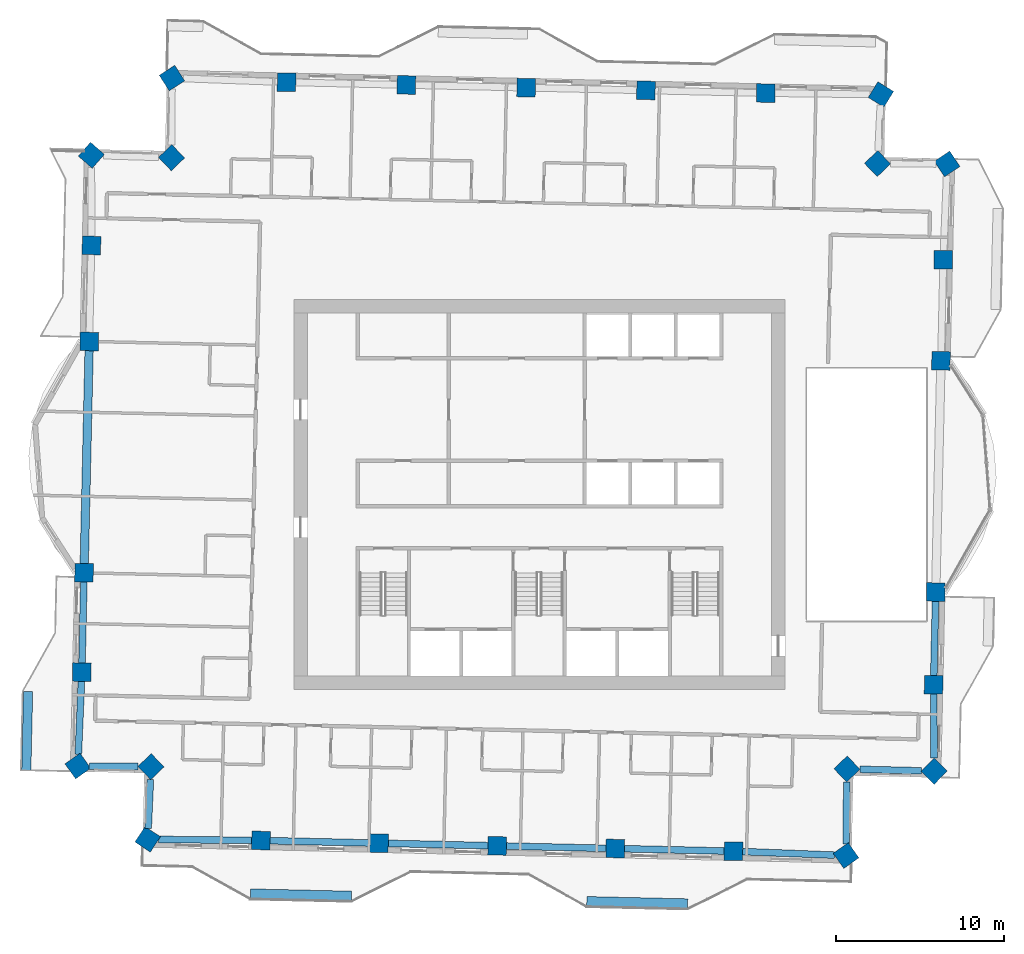
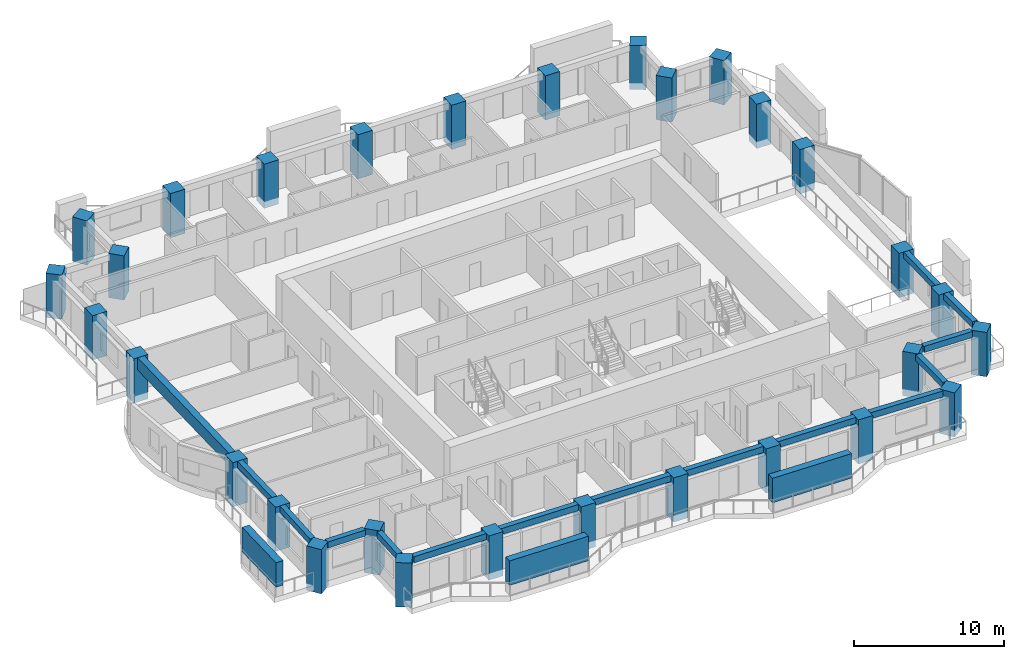
# One storey, part 1 of 14: 30 columns, 15 beams, 3 members.
"""IFC4 building model written with IfcOpenShell, lengths in metres."""

import ifcopenshell
import ifcopenshell.guid

model = None  # the IFC model being written
_history = None  # IfcOwnerHistory: only IFC2X3 demands one
_inside = {}  # id of a spatial element -> (the spatial element, [elements in it])
_under = {}  # id of a project, library or spatial element -> (it, [spatial elements below it])
_declared = {}  # id of a project -> (the project, [libraries it declares])
_typed = {}  # id of a type object -> (the type object, [elements of that type])
_made_of = {}  # id of a material, layer set ... -> (it, [elements and type objects made of it])


def new_model(schema):
    """Start an empty IFC model of exactly this schema.

    Asked for "IFC4X3", IfcOpenShell would pick the latest addendum, in which some entities
    have other attributes; the version numbers below select the first issue.
    IFC2X3 requires an IfcOwnerHistory on every rooted entity: one is made here for all.
    """
    global model, _history
    if schema == "IFC4X3":
        model = ifcopenshell.file(schema_version=(4, 3, 0, 0))
    else:
        model = ifcopenshell.file(schema=schema)
    _inside.clear()
    _under.clear()
    _declared.clear()
    _typed.clear()
    _made_of.clear()
    _history = None
    if model.schema == "IFC2X3":
        org = make("IfcOrganization", Name="unknown")
        user = make(
            "IfcPersonAndOrganization",
            ThePerson=make("IfcPerson", FamilyName="unknown"),
            TheOrganization=org,
        )
        app = make(
            "IfcApplication",
            ApplicationDeveloper=org,
            Version="unknown",
            ApplicationFullName="unknown",
            ApplicationIdentifier="unknown",
        )
        _history = make(
            "IfcOwnerHistory",
            OwningUser=user,
            OwningApplication=app,
            ChangeAction="ADDED",
            CreationDate=0,
        )
    return model


def make(cls, **values):
    """One entity of the class cls with the attributes given. An attribute that is None is left unset."""
    return model.create_entity(
        cls, **{name: value for name, value in values.items() if value is not None}
    )


def rooted(cls, **values):
    """An entity with a GlobalId (a new one), such as an element, a storey or a relation."""
    return make(cls, GlobalId=ifcopenshell.guid.new(), OwnerHistory=_history, **values)


def si_unit(unit_type, name, prefix=None):
    """IfcSIUnit, for example si_unit("LENGTHUNIT", "METRE", prefix="MILLI")."""
    return make("IfcSIUnit", UnitType=unit_type, Prefix=prefix, Name=name)


def assignment(units):
    """IfcUnitAssignment: the units of a project."""
    return None if units is None else make("IfcUnitAssignment", Units=units)


def point(xyz):
    """IfcCartesianPoint."""
    return None if xyz is None else make("IfcCartesianPoint", Coordinates=xyz)


def direction(xyz):
    """IfcDirection."""
    return None if xyz is None else make("IfcDirection", DirectionRatios=xyz)


def frame(location, z_axis=None, x_axis=None):
    """IfcAxis2Placement3D, a coordinate frame: its origin and axes. An axis left out is left unset."""
    return make(
        "IfcAxis2Placement3D",
        Location=point(location),
        Axis=direction(z_axis),
        RefDirection=direction(x_axis),
    )


def frame_2d(location, x_axis=None):
    """IfcAxis2Placement2D, a coordinate frame in the plane: its origin and x axis."""
    return make(
        "IfcAxis2Placement2D", Location=point(location), RefDirection=direction(x_axis)
    )


def origin():
    """The frame at (0, 0, 0) with its axes left unset."""
    return frame((0.0, 0.0, 0.0))


def origin_2d():
    """The frame at (0, 0) in the plane with its x axis left unset."""
    return frame_2d((0.0, 0.0))


def place(relative_to, where):
    """IfcLocalPlacement: puts the frame where relative to a parent placement (None: the world)."""
    return make(
        "IfcLocalPlacement", PlacementRelTo=relative_to, RelativePlacement=where
    )


def context(
    kind, dimensions, precision=None, world=None, true_north=None, identifier=None
):
    """IfcGeometricRepresentationContext, for example the 3D "Model" context."""
    return make(
        "IfcGeometricRepresentationContext",
        ContextIdentifier=identifier,
        ContextType=kind,
        CoordinateSpaceDimension=dimensions,
        Precision=precision,
        WorldCoordinateSystem=world,
        TrueNorth=true_north,
    )


def subcontext(parent, identifier, kind, view, scale=None):
    """IfcGeometricRepresentationSubContext, for example "Body" below "Model"."""
    return make(
        "IfcGeometricRepresentationSubContext",
        ContextIdentifier=identifier,
        ContextType=kind,
        ParentContext=parent,
        TargetScale=scale,
        TargetView=view,
    )


def project(units=None, contexts=None):
    """IfcProject with its units and contexts."""
    return rooted(
        "IfcProject",
        Name="project",
        RepresentationContexts=contexts,
        UnitsInContext=assignment(units),
    )


def spatial(cls, under=None, at=None, **own):
    """A site, building, storey or space (cls), placed at a placement, below another one or the project."""
    s = rooted(cls, ObjectPlacement=at, **own)
    if under is not None:
        _under.setdefault(under.id(), (under, []))[1].append(s)
    return s


def profile(cls, at=None, kind="AREA", **sizes):
    """A parametric profile (cls). Its sizes go by their IFC names, for example OverallWidth=200.0."""
    return make(cls, ProfileType=kind, Position=at, **sizes)


def rectangle(**sizes):
    """IfcRectangleProfileDef."""
    return profile("IfcRectangleProfileDef", **sizes)


def extrude(swept, where, along, depth):
    """IfcExtrudedAreaSolid: the profile swept, set in the frame where, extruded along a direction by depth."""
    return make(
        "IfcExtrudedAreaSolid",
        SweptArea=swept,
        Position=where,
        ExtrudedDirection=direction(along),
        Depth=depth,
    )


def shape(context_of_items, identifier, shape_type, items):
    """IfcShapeRepresentation: the items that make up one representation, for example the "Body"."""
    return make(
        "IfcShapeRepresentation",
        ContextOfItems=context_of_items,
        RepresentationIdentifier=identifier,
        RepresentationType=shape_type,
        Items=items,
    )


def material(Name=None, Category=None):
    """IfcMaterial."""
    return make("IfcMaterial", Name=Name, Category=Category)


def material_profile(
    of_material, cross_section, Name=None, Category=None, Priority=None
):
    """IfcMaterialProfile: a cross section and its material."""
    return make(
        "IfcMaterialProfile",
        Name=Name,
        Material=of_material,
        Profile=cross_section,
        Priority=Priority,
        Category=Category,
    )


def profile_set(profiles, Name=None, composite=None):
    """IfcMaterialProfileSet."""
    return make(
        "IfcMaterialProfileSet",
        Name=Name,
        MaterialProfiles=profiles,
        CompositeProfile=composite,
    )


def made_of(thing, what):
    """Note that an element or type object is made of a material, layer set ...; save() writes the relation."""
    if what is not None:
        _made_of.setdefault(what.id(), (what, []))[1].append(thing)
    return thing


def type_object(cls, material=None, **own):
    """A type object (cls), such as IfcWallType, which elements share."""
    return made_of(rooted(cls, **own), material)


def element(
    cls,
    number,
    at=None,
    inside=None,
    cuts=None,
    type_object=None,
    material=None,
    context=None,
    identifier="Body",
    shape_type=None,
    held_by="IfcProductDefinitionShape",
    body=None,
    shapes=None,
    **own,
):
    """One element of the class cls, such as IfcWall. Its Tag is "e" and its number.

    at: its placement. inside: the storey or other place that contains it. cuts: it is an
    opening in that element (IfcRelVoidsElement). A single representation is given by context,
    identifier, shape_type and body (its items); several are given by shapes. held_by: the class
    of the entity that holds the representations. save() writes the other relations.
    """
    e = rooted(cls, Tag="e%d" % number, ObjectPlacement=at, **own)
    if body is not None:
        shapes = [shape(context, identifier, shape_type, body)]
    if shapes is not None:
        e.Representation = make(held_by, Representations=shapes)
    if inside is not None:
        _inside.setdefault(inside.id(), (inside, []))[1].append(e)
    if cuts is not None:
        rooted(
            "IfcRelVoidsElement", RelatingBuildingElement=cuts, RelatedOpeningElement=e
        )
    if type_object is not None:
        _typed.setdefault(type_object.id(), (type_object, []))[1].append(e)
    return made_of(e, material)


def aggregate(whole, parts):
    """IfcRelAggregates: a whole, such as a stair, and the parts it consists of."""
    return rooted("IfcRelAggregates", RelatingObject=whole, RelatedObjects=parts)


def save(model, path):
    """Write the relations noted so far, then the file.

    IfcRelAggregates (storeys below a building ...), IfcRelContainedInSpatialStructure (elements
    in a storey), IfcRelDefinesByType, IfcRelAssociatesMaterial and IfcRelDeclares: one each for
    every whole, place, type object, material and project.
    """
    for whole, parts in _under.values():
        aggregate(whole, parts)
    for where, things in _inside.values():
        rooted(
            "IfcRelContainedInSpatialStructure",
            RelatedElements=things,
            RelatingStructure=where,
        )
    for kind, things in _typed.values():
        rooted("IfcRelDefinesByType", RelatedObjects=things, RelatingType=kind)
    for what, things in _made_of.values():
        rooted("IfcRelAssociatesMaterial", RelatedObjects=things, RelatingMaterial=what)
    for by, libraries in _declared.values():
        rooted("IfcRelDeclares", RelatingContext=by, RelatedDefinitions=libraries)
    model.write(path)


model = new_model("IFC4")

# Units and contexts
model_context = context("Model", 3, precision=1e-05, world=origin(), true_north=direction((0.0, 1.0)))
body_context = subcontext(model_context, "Body", "Model", "MODEL_VIEW")
ifc_project = project(units=[si_unit("LENGTHUNIT", "METRE"), si_unit("AREAUNIT", "SQUARE_METRE"), si_unit("VOLUMEUNIT", "CUBIC_METRE"), si_unit("PLANEANGLEUNIT", "RADIAN"), si_unit("MASSUNIT", "GRAM", prefix="KILO")], contexts=[model_context])

# Site, building, storey
site_placement = place(None, origin())
site = spatial("IfcSite", under=ifc_project, at=site_placement, CompositionType="ELEMENT")
building_placement = place(site_placement, origin())
building = spatial("IfcBuilding", under=site, at=building_placement, Name="Mangrove Gate Tower", CompositionType="ELEMENT")
storey_placement = place(building_placement, frame((0.0, 0.0, 208.699951171875)))
storey = spatial("IfcBuildingStorey", under=building, at=storey_placement, Name="L53", CompositionType="ELEMENT", Elevation=208.699951171875)

# Columns
ifc_material_1 = material(Name="Concrete C60/75", Category="concrete")
ifc_material_profile_1 = material_profile(ifc_material_1, rectangle(XDim=1.10009765625, YDim=1.10009765625, at=origin_2d()))
ifc_profile_set_1 = profile_set([ifc_material_profile_1], Name="Concrete C60/75")
column_type = type_object("IfcColumnType", Name="Column RC 1100x1100 C60/75", PredefinedType="COLUMN", material=ifc_profile_set_1)
for number, where, z_axis, x_axis, name in (
    (1, (-27.071044921875, -4.6494140625, -0.550048828125), (0.0, 0.0, 1.0), (-0.02268213383, -0.999742727308, 0.0), "Column L53 W05"),
    (2, (-27.205078125, -10.5595703125, -0.550048828125), (0.0, 0.0, 1.0), (-0.022750219004, -0.999741180274, 0.0), "Column L53 W06"),
    (3, (-27.44140625, -16.139892578125, -0.550048828125), (0.0, 0.0, 1.0), (0.578578159923, -0.815626944663, 0.0), "Column L53 W07"),
    (4, (-23.09326171875, -16.177978515625, -0.550048828125), (0.0, 0.0, 1.0), (0.690854032309, -0.722994264183, 0.0), "Column L53 W08"),
    (5, (-23.28857421875, -20.49755859375, -0.550048828125), (0.0, 0.0, 1.0), (0.835228982997, -0.549902305834, 0.0), "Column L53 S01"),
    (6, (-16.555419921875, -20.566162109375, -0.550048828125), (0.0, 0.0, 1.0), (0.999742166043, -0.022706858776, 0.0), "Column L53 S02"),
    (7, (-9.533447265625, -20.72607421875, -0.550048828125), (0.0, 0.0, 1.0), (0.999742129581, -0.022708464065, 0.0), "Column L53 S03"),
    (8, (-2.511474609375, -20.88525390625, -0.550048828125), (0.0, 0.0, 1.0), (0.999743742918, -0.022637325283, 0.0), "Column L53 S04"),
    (9, (4.510498046875, -21.044189453125, -0.550048828125), (0.0, 0.0, 1.0), (0.999742129581, -0.022708464065, 0.0), "Column L53 S05"),
    (10, (11.532470703125, -21.2041015625, -0.550048828125), (0.0, 0.0, 1.0), (0.999742166043, -0.022706858776, 0.0), "Column L53 S06"),
    (11, (18.225830078125, -21.463623046875, -0.550048828125), (0.0, 0.0, 1.0), (0.817005906944, 0.576629298612, 0.0), "Column L53 S07"),
    (12, (18.281005859375, -16.31640625, -0.550048828125), (0.0, 0.0, 1.0), (0.722904645442, 0.690947808158, 0.0), "Column L53 E01"),
    (13, (23.467529296875, -16.445556640625, -0.550048828125), (0.0, 0.0, 1.0), (0.702472771276, 0.711710619294, 0.0), "Column L53 E02"),
    (14, (23.43408203125, -11.30859375, -0.550048828125), (0.0, 0.0, 1.0), (0.022678138054, 0.999742817956, 0.0), "Column L53 E03"),
    (15, (23.55908203125, -5.798583984375, -0.550048828125), (0.0, 0.0, 1.0), (0.022686024913, 0.999742639019, 0.0), "Column L53 E04"),
    (16, (23.87109375, 7.949462890625, -0.550048828125), (0.0, 0.0, 1.0), (0.022719107826, 0.999741887759, 0.0), "Column L53 E05"),
    (17, (24.008056640625, 13.95947265625, -0.550048828125), (0.0, 0.0, 1.0), (0.022704398496, 0.99974222192, 0.0), "Column L53 E06"),
    (18, (24.236083984375, 19.6533203125, -0.550048828125), (0.0, 0.0, 1.0), (-0.553976303186, 0.832532435109, 0.0), "Column L53 E07"),
    (19, (20.097412109375, 19.673095703125, -0.550048828125), (0.0, 0.0, 1.0), (-0.69093208713, 0.722919671176, 0.0), "Column L53 E08"),
    (20, (20.300048828125, 23.78466796875, -0.550048828125), (0.0, 0.0, 1.0), (-0.849671924518, 0.527311692157, 0.0), "Column L53 N01"),
    (21, (13.45556640625, 23.8642578125, -0.550048828125), (0.0, 0.0, 1.0), (-0.999741400599, 0.022740534932, 0.0), "Column L53 N02"),
    (22, (6.33349609375, 24.026123046875, -0.550048828125), (0.0, 0.0, 1.0), (-0.999742993665, 0.022670390785, 0.0), "Column L53 N03"),
    (23, (-0.78857421875, 24.187255859375, -0.550048828125), (0.0, 0.0, 1.0), (-0.999742993665, 0.022670390785, 0.0), "Column L53 N04"),
    (24, (-7.910400390625, 24.34912109375, -0.550048828125), (0.0, 0.0, 1.0), (-0.999742993665, 0.022670390785, 0.0), "Column L53 N05"),
    (25, (-15.032470703125, 24.51025390625, -0.550048828125), (0.0, 0.0, 1.0), (-0.999742993665, 0.022670390785, 0.0), "Column L53 N06"),
    (26, (-21.84521484375, 24.759033203125, -0.550048828125), (0.0, 0.0, 1.0), (-0.841786903105, -0.539809975603, 0.0), "Column L53 N07"),
    (27, (-21.87109375, 20.025390625, -0.550048828125), (0.0, 0.0, 1.0), (-0.722980880026, -0.690868038859, 0.0), "Column L53 W01"),
    (28, (-26.636962890625, 20.168701171875, -0.550048828125), (0.0, 0.0, 1.0), (-0.660570488369, -0.750764030769, 0.0), "Column L53 W02"),
    (29, (-26.630126953125, 14.80859375, -0.550048828125), (0.0, 0.0, 1.0), (-0.022671699445, -0.999742963988, 0.0), "Column L53 W03"),
    (30, (-26.759033203125, 9.0986328125, -0.550048828125), (0.0, 0.0, 1.0), (-0.022658386004, -0.999743265816, 0.0), "Column L53 W04"),
):
    element("IfcColumn", number, at=place(storey_placement, frame(where, z_axis=z_axis, x_axis=x_axis)), inside=storey, type_object=column_type, Name=name, PredefinedType="COLUMN", context=body_context, shape_type="SweptSolid", body=[
        extrude(rectangle(XDim=1.10009765625, YDim=1.10009765625, at=origin_2d()), origin(), (0.0, 0.0, 1.0), 3.60009765625),
    ])

# Members
ifc_material_2 = material(Name="Planting on aluminium trellis", Category="aluminium")
ifc_material_profile_2 = material_profile(ifc_material_2, rectangle(XDim=0.550048828125, YDim=2.0, at=origin_2d()))
ifc_profile_set_2 = profile_set([ifc_material_profile_2], Name="Planting on aluminium trellis")
member_type = type_object("IfcMemberType", Name="Balcony greenery screen 550x2000", PredefinedType="USERDEFINED", material=ifc_profile_set_2)
member_1_placement = place(storey_placement, frame((-30.50390625, -16.39892578125, 1.800048828125), z_axis=(0.022750903005, 0.999741164708, 0.0), x_axis=(-0.999741164708, 0.022750903005, 0.0)))
element("IfcMember", 31, at=member_1_placement, inside=storey, type_object=member_type, Name="GREEN SCREEN L53 W1.1", ObjectType="PLANTING", PredefinedType="USERDEFINED", context=body_context, shape_type="SweptSolid", body=[
    extrude(rectangle(XDim=0.550048828125, YDim=2.0, at=origin_2d()), origin(), (0.0, 0.0, 1.0), 4.7001953125),
])
member_2_placement = place(storey_placement, frame((-17.179931640625, -23.718017578125, 1.800048828125), z_axis=(0.999743178102, -0.022662255828, 0.0), x_axis=(0.022662255828, 0.999743178102, 0.0)))
element("IfcMember", 32, at=member_2_placement, inside=storey, type_object=member_type, Name="GREEN SCREEN L53 S0.1", ObjectType="PLANTING", PredefinedType="USERDEFINED", context=body_context, shape_type="SweptSolid", body=[
    extrude(rectangle(XDim=0.550048828125, YDim=2.0, at=origin_2d()), origin(), (0.0, 0.0, 1.0), 6.00048828125),
])
member_3_placement = place(storey_placement, frame((2.81494140625, -24.172119140625, 1.800048828125), z_axis=(0.999743094499, -0.022665943652, 0.0), x_axis=(0.022665943652, 0.999743094499, 0.0)))
element("IfcMember", 33, at=member_3_placement, inside=storey, type_object=member_type, Name="GREEN SCREEN L53 S1.1", ObjectType="PLANTING", PredefinedType="USERDEFINED", context=body_context, shape_type="SweptSolid", body=[
    extrude(rectangle(XDim=0.550048828125, YDim=2.0, at=origin_2d()), origin(), (0.0, 0.0, 1.0), 5.99951171875),
])

# Beams
ifc_material_3 = material(Name="Concrete C50/60", Category="concrete")
ifc_material_profile_3 = material_profile(ifc_material_3, rectangle(XDim=0.39990234375, YDim=0.5, at=origin_2d()))
ifc_profile_set_3 = profile_set([ifc_material_profile_3], Name="Concrete C50/60")
beam_type_1 = type_object("IfcBeamType", Name="Edge beam RC 400x500 C50/60", PredefinedType="BEAM", material=ifc_profile_set_3)
beam_1_placement = place(storey_placement, frame((-27.08349609375, -5.19921875, 2.800048828125), z_axis=(-0.022679913805, -0.999742777673, 0.0), x_axis=(0.999742777673, -0.022679913805, 0.0)))
element("IfcBeam", 34, at=beam_1_placement, inside=storey, type_object=beam_type_1, Name="Edge beam L53 00", PredefinedType="BEAM", context=body_context, shape_type="SweptSolid", body=[
    extrude(rectangle(XDim=0.39990234375, YDim=0.5, at=origin_2d()), origin(), (0.0, 0.0, 1.0), 4.811767578125),
])
beam_2_placement = place(storey_placement, frame((-27.228515625, -11.109130859375, 2.800048828125), z_axis=(-0.042253030375, -0.999106941936, 0.0), x_axis=(0.999106941936, -0.042253030375, 0.0)))
element("IfcBeam", 35, at=beam_2_placement, inside=storey, type_object=beam_type_1, Name="Edge beam L53 01", PredefinedType="BEAM", context=body_context, shape_type="SweptSolid", body=[
    extrude(rectangle(XDim=0.39990234375, YDim=0.5, at=origin_2d()), origin(), (0.0, 0.0, 1.0), 4.33935546875),
])
beam_3_placement = place(storey_placement, frame((-26.762939453125, -16.145751953125, 2.800048828125), z_axis=(0.999960996319, -0.008832091572, 0.0), x_axis=(0.008832091572, 0.999960996319, 0.0)))
element("IfcBeam", 36, at=beam_3_placement, inside=storey, type_object=beam_type_1, Name="Edge beam L53 02", PredefinedType="BEAM", context=body_context, shape_type="SweptSolid", body=[
    extrude(rectangle(XDim=0.39990234375, YDim=0.5, at=origin_2d()), origin(), (0.0, 0.0, 1.0), 2.90234375),
])
beam_4_placement = place(storey_placement, frame((-23.127685546875, -16.938232421875, 2.800048828125), z_axis=(-0.045187907282, -0.998978504792, 0.0), x_axis=(0.998978504792, -0.045187907282, 0.0)))
element("IfcBeam", 37, at=beam_4_placement, inside=storey, type_object=beam_type_1, Name="Edge beam L53 03", PredefinedType="BEAM", context=body_context, shape_type="SweptSolid", body=[
    extrude(rectangle(XDim=0.39990234375, YDim=0.5, at=origin_2d()), origin(), (0.0, 0.0, 1.0), 2.9228515625),
])
beam_5_placement = place(storey_placement, frame((-22.634521484375, -20.50439453125, 2.800048828125), z_axis=(0.999948433136, -0.010155346828, 0.0), x_axis=(0.010155346828, 0.999948433136, 0.0)))
element("IfcBeam", 38, at=beam_5_placement, inside=storey, type_object=beam_type_1, Name="Edge beam L53 04", PredefinedType="BEAM", context=body_context, shape_type="SweptSolid", body=[
    extrude(rectangle(XDim=0.39990234375, YDim=0.5, at=origin_2d()), origin(), (0.0, 0.0, 1.0), 5.529296875),
])
beam_6_placement = place(storey_placement, frame((-16.005615234375, -20.57861328125, 2.800048828125), z_axis=(0.999740258675, -0.022790681963, 0.0), x_axis=(0.022790681963, 0.999740258675, 0.0)))
element("IfcBeam", 39, at=beam_6_placement, inside=storey, type_object=beam_type_1, Name="Edge beam L53 05", PredefinedType="BEAM", context=body_context, shape_type="SweptSolid", body=[
    extrude(rectangle(XDim=0.39990234375, YDim=0.5, at=origin_2d()), origin(), (0.0, 0.0, 1.0), 5.923828125),
])
beam_7_placement = place(storey_placement, frame((-8.983642578125, -20.738525390625, 2.800048828125), z_axis=(0.999743046941, -0.022668041218, 0.0), x_axis=(0.022668041218, 0.999743046941, 0.0)))
element("IfcBeam", 40, at=beam_7_placement, inside=storey, type_object=beam_type_1, Name="Edge beam L53 06", PredefinedType="BEAM", context=body_context, shape_type="SweptSolid", body=[
    extrude(rectangle(XDim=0.39990234375, YDim=0.5, at=origin_2d()), origin(), (0.0, 0.0, 1.0), 5.923583984375),
])
for number, where, z_axis, x_axis, name in (
    (41, (-1.961669921875, -20.897705078125, 2.800048828125), (0.999744001208, -0.022625915437, 0.0), (0.022625915437, 0.999744001208, 0.0), "Edge beam L53 07"),
    (42, (5.060302734375, -21.056640625, 2.800048828125), (0.999740258675, -0.022790681963, 0.0), (0.022790681963, 0.999740258675, 0.0), "Edge beam L53 08"),
):
    element("IfcBeam", number, at=place(storey_placement, frame(where, z_axis=z_axis, x_axis=x_axis)), inside=storey, type_object=beam_type_1, Name=name, PredefinedType="BEAM", context=body_context, shape_type="SweptSolid", body=[
        extrude(rectangle(XDim=0.39990234375, YDim=0.5, at=origin_2d()), origin(), (0.0, 0.0, 1.0), 5.923828125),
    ])
beam_8_placement = place(storey_placement, frame((12.08203125, -21.225341796875, 2.800048828125), z_axis=(0.999248829051, -0.038752775905, 0.0), x_axis=(0.038752775905, 0.999248829051, 0.0)))
element("IfcBeam", 43, at=beam_8_placement, inside=storey, type_object=beam_type_1, Name="Edge beam L53 09", PredefinedType="BEAM", context=body_context, shape_type="SweptSolid", body=[
    extrude(rectangle(XDim=0.39990234375, YDim=0.5, at=origin_2d()), origin(), (0.0, 0.0, 1.0), 5.455810546875),
])
beam_9_placement = place(storey_placement, frame((18.233154296875, -20.785400390625, 2.800048828125), z_axis=(0.010688225551, 0.999942879286, 0.0), x_axis=(-0.999942879286, 0.010688225551, 0.0)))
element("IfcBeam", 44, at=beam_9_placement, inside=storey, type_object=beam_type_1, Name="Edge beam L53 10", PredefinedType="BEAM", context=body_context, shape_type="SweptSolid", body=[
    extrude(rectangle(XDim=0.39990234375, YDim=0.5, at=origin_2d()), origin(), (0.0, 0.0, 1.0), 3.700439453125),
])
beam_10_placement = place(storey_placement, frame((19.056640625, -16.335693359375, 2.800048828125), z_axis=(0.999690059684, -0.024895472844, 0.0), x_axis=(0.024895472844, 0.999690059684, 0.0)))
element("IfcBeam", 45, at=beam_10_placement, inside=storey, type_object=beam_type_1, Name="Edge beam L53 11", PredefinedType="BEAM", context=body_context, shape_type="SweptSolid", body=[
    extrude(rectangle(XDim=0.39990234375, YDim=0.5, at=origin_2d()), origin(), (0.0, 0.0, 1.0), 3.657958984375),
])
beam_11_placement = place(storey_placement, frame((23.46240234375, -15.66796875, 2.800048828125), z_axis=(-0.006472978533, 0.999979050055, 0.0), x_axis=(-0.999979050055, -0.006472978533, 0.0)))
element("IfcBeam", 46, at=beam_11_placement, inside=storey, type_object=beam_type_1, Name="Edge beam L53 12", PredefinedType="BEAM", context=body_context, shape_type="SweptSolid", body=[
    extrude(rectangle(XDim=0.39990234375, YDim=0.5, at=origin_2d()), origin(), (0.0, 0.0, 1.0), 3.809326171875),
])
beam_12_placement = place(storey_placement, frame((23.446533203125, -10.7587890625, 2.800048828125), z_axis=(0.022689977593, 0.999742549318, 0.0), x_axis=(-0.999742549318, 0.022689977593, 0.0)))
element("IfcBeam", 47, at=beam_12_placement, inside=storey, type_object=beam_type_1, Name="Edge beam L53 13", PredefinedType="BEAM", context=body_context, shape_type="SweptSolid", body=[
    extrude(rectangle(XDim=0.39990234375, YDim=0.5, at=origin_2d()), origin(), (0.0, 0.0, 1.0), 4.41162109375),
])
ifc_material_4 = material(Name="Concrete C50/60", Category="concrete")
ifc_material_profile_4 = material_profile(ifc_material_4, rectangle(XDim=0.5, YDim=1.0, at=origin_2d()))
ifc_profile_set_4 = profile_set([ifc_material_profile_4], Name="Concrete C50/60")
beam_type_2 = type_object("IfcBeamType", Name="Edge beam RC 500x1000 C50/60", PredefinedType="BEAM", material=ifc_profile_set_4)
beam_13_placement = place(storey_placement, frame((-26.771728515625, 8.548583984375, 2.550048828125), z_axis=(-0.02267450167, -0.999742900437, 0.0), x_axis=(0.999742900437, -0.02267450167, 0.0)))
element("IfcBeam", 48, at=beam_13_placement, inside=storey, type_object=beam_type_2, Name="Edge beam L53 29", PredefinedType="BEAM", context=body_context, shape_type="SweptSolid", body=[
    extrude(rectangle(XDim=0.5, YDim=1.0, at=origin_2d()), origin(), (0.0, 0.0, 1.0), 12.6513671875),
])

save(model, "model.ifc")
